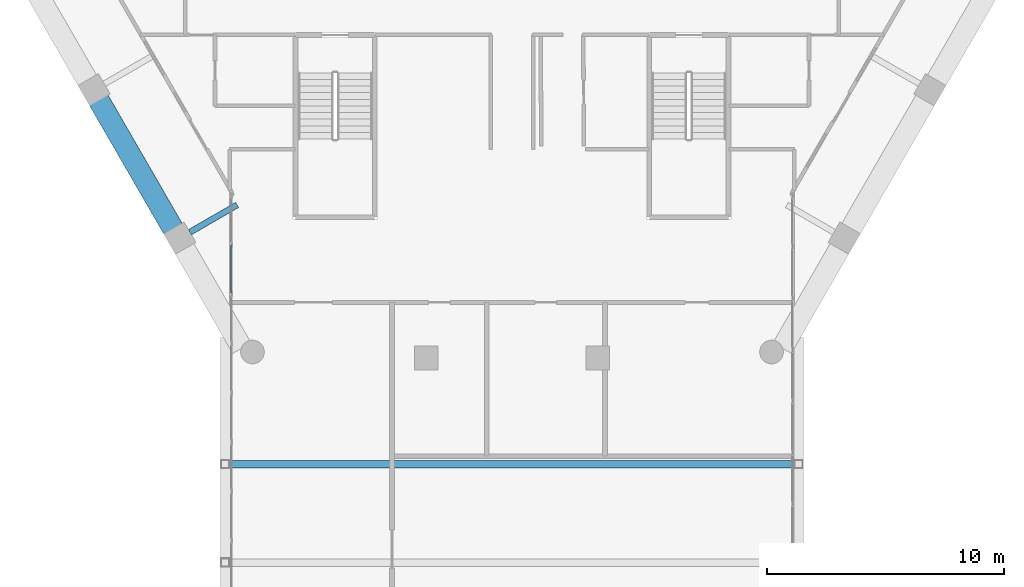
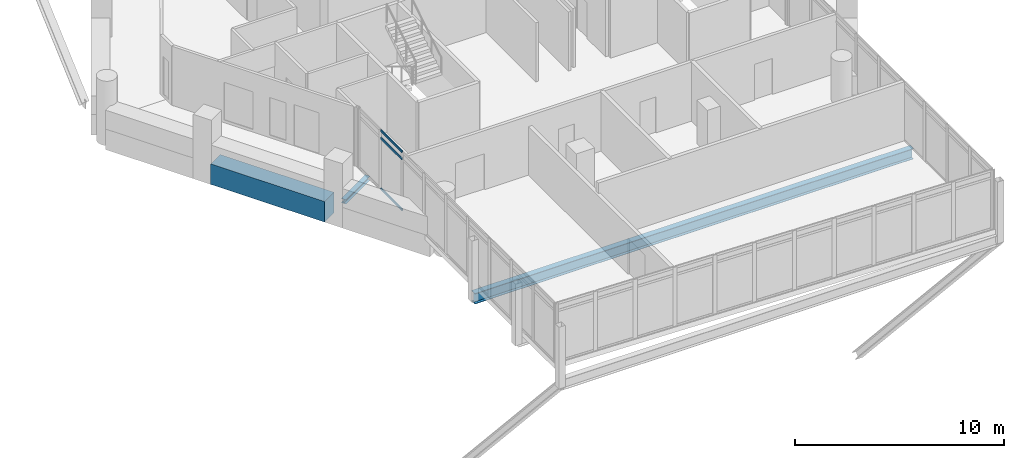
# One storey, part 10 of 38: 3 beams, 3 members, 1 element without a shape of its own.
"""IFC4 building model written with IfcOpenShell, lengths in metres."""

from ifc_helpers import new_model, si_unit, direction, frame, origin, origin_2d, place, context, subcontext, project, spatial, rectangle, hollow_rectangle, i_section, extrude, material, material_profile, profile_set, type_object, element, aggregate, save


model = new_model("IFC4")

# Units and contexts
model_context = context("Model", 3, precision=1e-05, world=origin(), true_north=direction((0.0, 1.0)))
body_context = subcontext(model_context, "Body", "Model", "MODEL_VIEW")
ifc_project = project(units=[si_unit("LENGTHUNIT", "METRE"), si_unit("AREAUNIT", "SQUARE_METRE"), si_unit("VOLUMEUNIT", "CUBIC_METRE"), si_unit("PLANEANGLEUNIT", "RADIAN"), si_unit("MASSUNIT", "GRAM", prefix="KILO")], contexts=[model_context])

# Site, building, storey
site_placement = place(None, origin())
site = spatial("IfcSite", under=ifc_project, at=site_placement, CompositionType="ELEMENT")
building_placement = place(site_placement, origin())
building = spatial("IfcBuilding", under=site, at=building_placement, Name="Ostrander Bayou Hotel Tower", CompositionType="ELEMENT")
storey_placement = place(building_placement, frame((0.0, 0.0, 194.5)))
storey = spatial("IfcBuildingStorey", under=building, at=storey_placement, Name="L48", CompositionType="ELEMENT", Elevation=194.5)

# Curtain wall, members
ifc_material_1 = material(Name="Aluminium and clear glass", Category="aluminium")
curtain_wall_type = type_object("IfcCurtainWallType", Name="CW-BAR glazed wall", PredefinedType="NOTDEFINED", material=ifc_material_1)
curtain_wall_placement = place(storey_placement, origin())
curtain_wall = element("IfcCurtainWall", 1, at=curtain_wall_placement, inside=storey, type_object=curtain_wall_type, Name="CW-BAR L48:SB4S:E", PredefinedType="NOTDEFINED")
ifc_material_2 = material(Name="Aluminium", Category="aluminium")
ifc_material_profile_1 = material_profile(ifc_material_2, hollow_rectangle(XDim=0.06005859375, YDim=0.1298828125, WallThickness=0.00390625, at=origin_2d()))
ifc_profile_set_1 = profile_set([ifc_material_profile_1], Name="Aluminium")
member_type = type_object("IfcMemberType", Name="CW-BR transom 60 x 130 mm", PredefinedType="USERDEFINED", material=ifc_profile_set_1)
member_1_placement = place(storey_placement, frame((-11.857177734375, -12.58056640625, 0.030029296875), z_axis=(0.0, -1.0, 0.0), x_axis=(1.0, 0.0, 0.0)))
member_1 = element("IfcMember", 2, at=member_1_placement, type_object=member_type, Name="CW-BAR transom 2.1", ObjectType="TRANSOM", PredefinedType="USERDEFINED", context=body_context, shape_type="SweptSolid", body=[
    extrude(hollow_rectangle(XDim=0.06005859375, YDim=0.1298828125, WallThickness=0.00390625, at=origin_2d()), origin(), (0.0, 0.0, 1.0), 2.027587890625),
])
member_2_placement = place(storey_placement, frame((-11.857177734375, -12.58056640625, 3.0), z_axis=(0.0, -1.0, 0.0), x_axis=(1.0, 0.0, 0.0)))
member_2 = element("IfcMember", 3, at=member_2_placement, type_object=member_type, Name="CW-BAR transom 2.2", ObjectType="TRANSOM", PredefinedType="USERDEFINED", context=body_context, shape_type="SweptSolid", body=[
    extrude(hollow_rectangle(XDim=0.06005859375, YDim=0.1298828125, WallThickness=0.00390625, at=origin_2d()), origin(), (0.0, 0.0, 1.0), 2.027587890625),
])
member_3_placement = place(storey_placement, frame((-11.857177734375, -12.58056640625, 3.419921875), z_axis=(0.0, -1.0, 0.0), x_axis=(1.0, 0.0, 0.0)))
member_3 = element("IfcMember", 4, at=member_3_placement, type_object=member_type, Name="CW-BAR transom 2.3", ObjectType="TRANSOM", PredefinedType="USERDEFINED", context=body_context, shape_type="SweptSolid", body=[
    extrude(hollow_rectangle(XDim=0.06005859375, YDim=0.1298828125, WallThickness=0.00390625, at=origin_2d()), origin(), (0.0, 0.0, 1.0), 2.027587890625),
])
aggregate(curtain_wall, [member_1, member_2, member_3])

# Beams
ifc_material_3 = material(Name="Steel ASTM A992", Category="steel")
ifc_material_profile_2 = material_profile(ifc_material_3, i_section(OverallWidth=0.25390625, OverallDepth=0.25341796875, WebThickness=0.008544921875, FlangeThickness=0.01416015625, at=origin_2d()))
ifc_profile_set_2 = profile_set([ifc_material_profile_2], Name="Steel ASTM A992")
beam_type_1 = type_object("IfcBeamType", Name="LB2 loggia bracket W10x49", PredefinedType="BEAM", material=ifc_profile_set_2)
beam_1_placement = place(storey_placement, frame((-13.606201171875, -12.033203125, -0.4267578125), z_axis=(0.86602648383, 0.499998129301, 0.0), x_axis=(-0.499998129301, 0.86602648383, 0.0)))
element("IfcBeam", 5, at=beam_1_placement, inside=storey, type_object=beam_type_1, Name="LB2 L48 SW2", PredefinedType="BEAM", context=body_context, shape_type="SweptSolid", body=[
    extrude(i_section(OverallWidth=0.25390625, OverallDepth=0.25341796875, WebThickness=0.008544921875, FlangeThickness=0.01416015625, at=origin_2d()), origin(), (0.0, 0.0, 1.0), 2.2998046875),
])
ifc_material_4 = material(Name="Concrete f'c 60 MPa", Category="concrete")
ifc_material_profile_3 = material_profile(ifc_material_4, rectangle(XDim=0.89990234375, YDim=1.199951171875, at=origin_2d()))
ifc_profile_set_3 = profile_set([ifc_material_profile_3], Name="Concrete f'c 60 MPa")
beam_type_2 = type_object("IfcBeamType", Name="SP3 spandrel beam 900 x 1200 mm f'c 60 MPa", PredefinedType="SPANDREL", material=ifc_profile_set_3)
beam_2_placement = place(storey_placement, frame((-17.465576171875, -6.44873046875, -0.60009765625), z_axis=(0.500013351051, -0.866017695414, 0.0), x_axis=(0.866017695414, 0.500013351051, 0.0)))
element("IfcBeam", 6, at=beam_2_placement, inside=storey, type_object=beam_type_2, Name="SP3 L48 SW-2", PredefinedType="SPANDREL", context=body_context, shape_type="SweptSolid", body=[
    extrude(rectangle(XDim=0.89990234375, YDim=1.199951171875, at=origin_2d()), origin(), (0.0, 0.0, 1.0), 6.296142578125),
])
ifc_material_5 = material(Name="Steel ASTM A992", Category="steel")
ifc_material_profile_4 = material_profile(ifc_material_5, i_section(OverallWidth=0.32373046875, OverallDepth=0.611083984375, WebThickness=0.0126953125, FlangeThickness=0.01904296875, at=origin_2d()))
ifc_profile_set_4 = profile_set([ifc_material_profile_4], Name="Steel ASTM A992")
beam_type_3 = type_object("IfcBeamType", Name="TF2 bar floor beam W24x104", PredefinedType="BEAM", material=ifc_profile_set_4)
beam_3_placement = place(storey_placement, frame((-12.110107421875, -21.840576171875, -0.605712890625), z_axis=(1.0, 0.0, 0.0), x_axis=(0.0, 1.0, 0.0)))
element("IfcBeam", 7, at=beam_3_placement, inside=storey, type_object=beam_type_3, Name="TF2 SB4S L1-1", PredefinedType="BEAM", context=body_context, shape_type="SweptSolid", body=[
    extrude(i_section(OverallWidth=0.32373046875, OverallDepth=0.611083984375, WebThickness=0.0126953125, FlangeThickness=0.01904296875, at=origin_2d()), origin(), (0.0, 0.0, 1.0), 24.22021484375),
])

save(model, "model.ifc")
